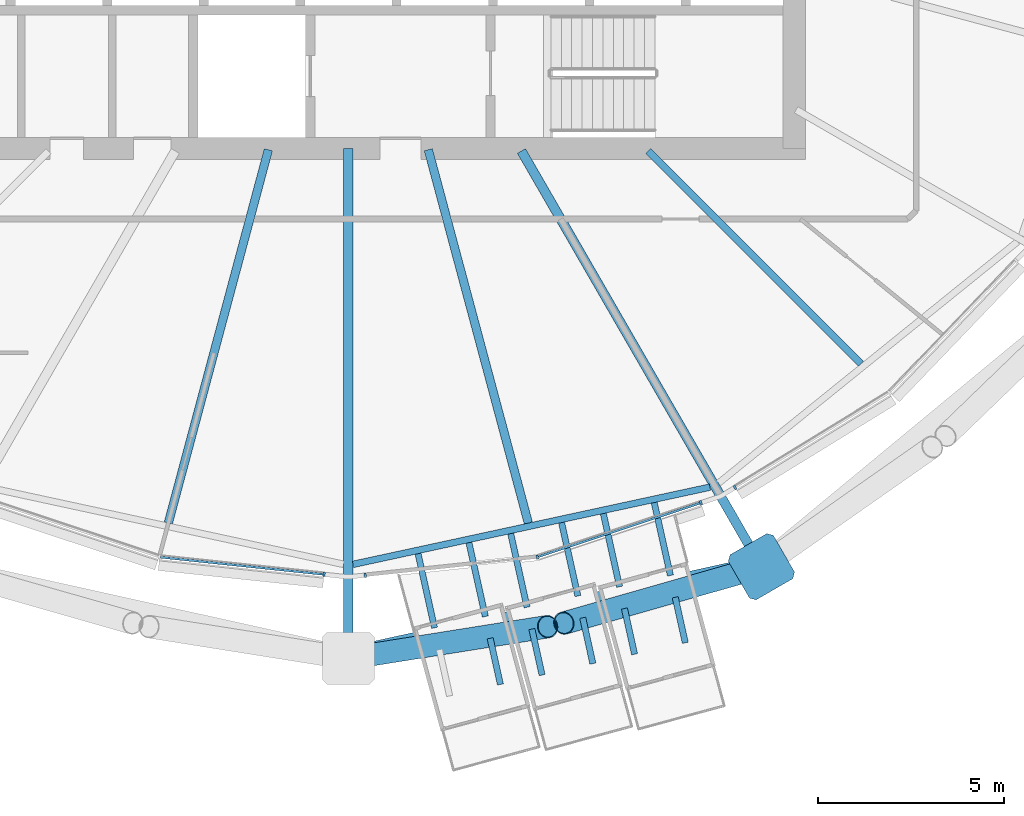
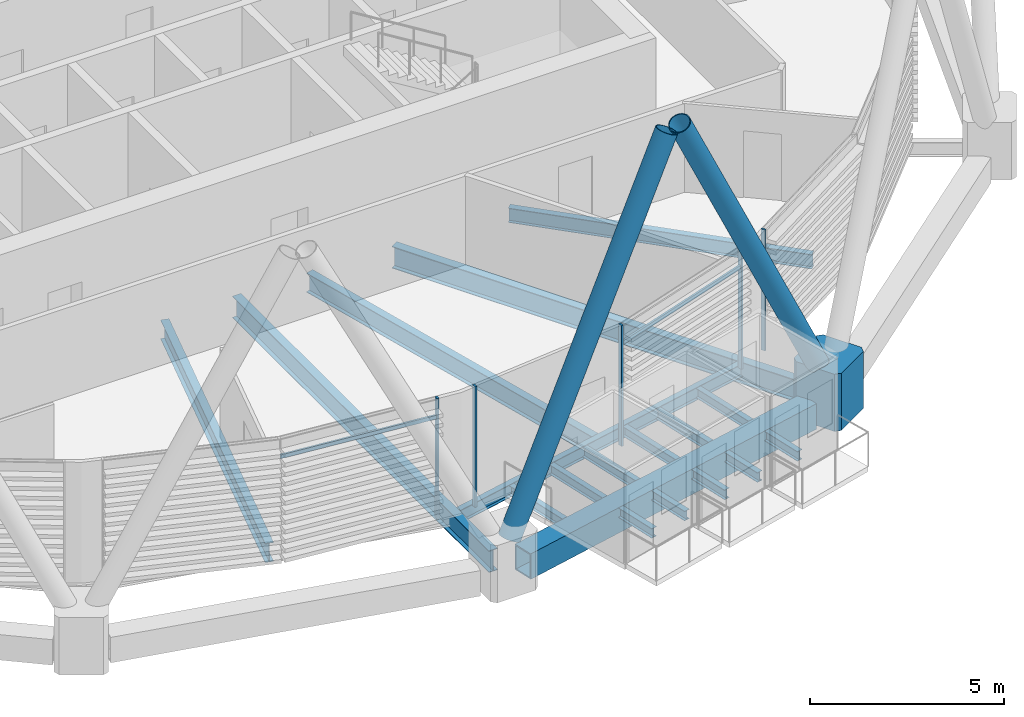
# One storey, part 4 of 35: 18 beams, 10 members, 1 element without a shape of its own.
"""IFC4 building model written with IfcOpenShell, lengths in metres."""

from ifc_helpers import new_model, si_unit, direction, frame, origin, origin_2d, place, context, subcontext, project, spatial, polyline, rectangle, hollow_rectangle, hollow_circle, i_section, outline, extrude, material, material_profile, profile_set, type_object, element, aggregate, save


model = new_model("IFC4")

# Units and contexts
model_context = context("Model", 3, precision=1e-05, world=origin(), true_north=direction((0.0, 1.0)))
body_context = subcontext(model_context, "Body", "Model", "MODEL_VIEW")
ifc_project = project(units=[si_unit("LENGTHUNIT", "METRE"), si_unit("AREAUNIT", "SQUARE_METRE"), si_unit("VOLUMEUNIT", "CUBIC_METRE"), si_unit("PLANEANGLEUNIT", "RADIAN"), si_unit("MASSUNIT", "GRAM", prefix="KILO")], contexts=[model_context])

# Site, building, storey
site_placement = place(None, origin())
site = spatial("IfcSite", under=ifc_project, at=site_placement, CompositionType="ELEMENT")
building_placement = place(site_placement, origin())
building = spatial("IfcBuilding", under=site, at=building_placement, Name="Rimbun Link Towers", CompositionType="ELEMENT")
storey_placement = place(building_placement, frame((0.0, 0.0, 181.699951171875)))
storey = spatial("IfcBuildingStorey", under=building, at=storey_placement, Name="L44", CompositionType="ELEMENT", Elevation=181.699951171875)

# Curtain wall, members
ifc_material_1 = material(Name="Aluminium 6063-T6 and low-iron glass", Category="aluminium")
curtain_wall_type = type_object("IfcCurtainWallType", Name="CW1-Z3 unitised vision wall (zone 3)", PredefinedType="NOTDEFINED", material=ifc_material_1)
curtain_wall_placement = place(storey_placement, origin())
curtain_wall = element("IfcCurtainWall", 1, at=curtain_wall_placement, inside=storey, type_object=curtain_wall_type, Name="CW1 L44 T1", PredefinedType="NOTDEFINED")
ifc_material_2 = material(Name="Aluminium 6063-T6", Category="aluminium")
ifc_material_profile_1 = material_profile(ifc_material_2, rectangle(XDim=0.1201171875, YDim=0.06005859375, at=origin_2d()), Name="MULLION 60X120")
ifc_profile_set_1 = profile_set([ifc_material_profile_1], Name="Aluminium 6063-T6")
member_type_1 = type_object("IfcMemberType", Name="CW1 mullion 60X120", PredefinedType="MULLION", material=ifc_profile_set_1)
member_1_placement = place(storey_placement, frame((-32.402587890625, -19.456787109375, 0.0), z_axis=(0.0, 0.0, 1.0), x_axis=(-0.104753162451, -0.994498252868, 0.0)))
member_1 = element("IfcMember", 2, at=member_1_placement, type_object=member_type_1, Name="CW1 mullion", PredefinedType="MULLION", context=body_context, shape_type="SweptSolid", body=[
    extrude(rectangle(XDim=0.1201171875, YDim=0.06005859375, at=origin_2d()), origin(), (0.0, 0.0, 1.0), 3.800048828125),
])
member_2_placement = place(storey_placement, frame((-26.664794921875, -18.989501953125, 0.0), z_axis=(0.0, 0.0, 1.0), x_axis=(0.210876961602, -0.977512612228, 0.0)))
member_2 = element("IfcMember", 3, at=member_2_placement, type_object=member_type_1, Name="CW1 mullion", PredefinedType="MULLION", context=body_context, shape_type="SweptSolid", body=[
    extrude(rectangle(XDim=0.1201171875, YDim=0.06005859375, at=origin_2d()), origin(), (0.0, 0.0, 1.0), 3.800048828125),
])
member_3_placement = place(storey_placement, frame((-31.296142578125, -19.477783203125, 0.0), z_axis=(0.0, 0.0, 1.0), x_axis=(0.104753162451, -0.994498252868, 0.0)))
member_3 = element("IfcMember", 4, at=member_3_placement, type_object=member_type_1, Name="CW1 mullion", PredefinedType="MULLION", context=body_context, shape_type="SweptSolid", body=[
    extrude(rectangle(XDim=0.1201171875, YDim=0.06005859375, at=origin_2d()), origin(), (0.0, 0.0, 1.0), 3.800048828125),
])
member_4_placement = place(storey_placement, frame((-22.26416015625, -17.531494140625, 0.0), z_axis=(0.0, 0.0, 1.0), x_axis=(0.314564968894, -0.949235945561, 0.0)))
member_4 = element("IfcMember", 5, at=member_4_placement, type_object=member_type_1, Name="CW1 mullion", PredefinedType="MULLION", context=body_context, shape_type="SweptSolid", body=[
    extrude(rectangle(XDim=0.1201171875, YDim=0.06005859375, at=origin_2d()), origin(), (0.0, 0.0, 1.0), 3.800048828125),
])
member_5_placement = place(storey_placement, frame((-21.345947265625, -17.1171875, 0.0), z_axis=(0.0, 0.0, 1.0), x_axis=(0.523234516531, -0.852188735381, 0.0)))
member_5 = element("IfcMember", 6, at=member_5_placement, type_object=member_type_1, Name="CW1 mullion", PredefinedType="MULLION", context=body_context, shape_type="SweptSolid", body=[
    extrude(rectangle(XDim=0.1201171875, YDim=0.06005859375, at=origin_2d()), origin(), (0.0, 0.0, 1.0), 3.800048828125),
])
ifc_material_3 = material(Name="Aluminium 6063-T6", Category="aluminium")
ifc_material_profile_2 = material_profile(ifc_material_3, rectangle(XDim=0.06005859375, YDim=0.1201171875, at=origin_2d()), Name="TRANSOM 60X120")
ifc_profile_set_2 = profile_set([ifc_material_profile_2], Name="Aluminium 6063-T6")
member_type_2 = type_object("IfcMemberType", Name="CW1 transom 60X120", PredefinedType="USERDEFINED", material=ifc_profile_set_2)
member_6_placement = place(storey_placement, frame((-32.432373046875, -19.45166015625, 3.199951171875), z_axis=(-0.994497528249, 0.104760041556, 0.0), x_axis=(-0.104760041556, -0.994497528249, 0.0)))
member_6 = element("IfcMember", 7, at=member_6_placement, type_object=member_type_2, Name="CW1 transom", ObjectType="TRANSOM", PredefinedType="USERDEFINED", context=body_context, shape_type="SweptSolid", body=[
    extrude(rectangle(XDim=0.06005859375, YDim=0.1201171875, at=origin_2d()), origin(), (0.0, 0.0, 1.0), 4.390625),
])
member_7_placement = place(storey_placement, frame((-22.293212890625, -17.5390625, 3.199951171875), z_axis=(-0.949232156623, -0.314576402218, 0.0), x_axis=(0.314576402218, -0.949232156623, 0.0)))
member_7 = element("IfcMember", 8, at=member_7_placement, type_object=member_type_2, Name="CW1 transom", ObjectType="TRANSOM", PredefinedType="USERDEFINED", context=body_context, shape_type="SweptSolid", body=[
    extrude(rectangle(XDim=0.06005859375, YDim=0.1201171875, at=origin_2d()), origin(), (0.0, 0.0, 1.0), 4.569580078125),
])
aggregate(curtain_wall, [member_1, member_2, member_3, member_4, member_5, member_6, member_7])

# Beams
ifc_material_4 = material(Name="Steel S355J2", Category="steel")
ifc_material_profile_3 = material_profile(ifc_material_4, i_section(OverallWidth=0.1650390625, OverallDepth=0.303466796875, WebThickness=0.006103515625, FlangeThickness=0.01025390625, at=origin_2d()), Name="UB 305x165x40")
ifc_profile_set_3 = profile_set([ifc_material_profile_3], Name="Steel S355J2")
beam_type_1 = type_object("IfcBeamType", Name="Capsule bracket beam UB 305x165x40", PredefinedType="BEAM", material=ifc_profile_set_3)
beam_1_placement = place(storey_placement, frame((-23.52001953125, -17.5244140625, -0.311767578125), z_axis=(0.216518756994, -0.976278458161, 0.0), x_axis=(0.976278458161, 0.216518756994, 0.0)))
element("IfcBeam", 9, at=beam_1_placement, inside=storey, type_object=beam_type_1, Name="Capsule D441.01 bracket beam 1", PredefinedType="BEAM", context=body_context, shape_type="SweptSolid", body=[
    extrude(i_section(OverallWidth=0.1650390625, OverallDepth=0.303466796875, WebThickness=0.006103515625, FlangeThickness=0.01025390625, at=origin_2d()), origin(), (0.0, 0.0, 1.0), 2.00927734375),
])
beam_2_placement = place(storey_placement, frame((-22.955078125, -20.07177734375, -0.311767578125), z_axis=(0.216559941502, -0.976269323361, 0.0), x_axis=(0.976269323361, 0.216559941502, 0.0)))
element("IfcBeam", 10, at=beam_2_placement, inside=storey, type_object=beam_type_1, Name="Capsule D441.01 bracket beam 2", PredefinedType="BEAM", context=body_context, shape_type="SweptSolid", body=[
    extrude(i_section(OverallWidth=0.1650390625, OverallDepth=0.303466796875, WebThickness=0.006103515625, FlangeThickness=0.01025390625, at=origin_2d()), origin(), (0.0, 0.0, 1.0), 1.255859375),
])
beam_3_placement = place(storey_placement, frame((-24.888427734375, -17.820556640625, -0.311767578125), z_axis=(0.216468952196, -0.976289502522, 0.0), x_axis=(0.976289502522, 0.216468952196, 0.0)))
element("IfcBeam", 11, at=beam_3_placement, inside=storey, type_object=beam_type_1, Name="Capsule D441.01 bracket beam 3", PredefinedType="BEAM", context=body_context, shape_type="SweptSolid", body=[
    extrude(i_section(OverallWidth=0.1650390625, OverallDepth=0.303466796875, WebThickness=0.006103515625, FlangeThickness=0.01025390625, at=origin_2d()), origin(), (0.0, 0.0, 1.0), 2.0166015625),
])
beam_4_placement = place(storey_placement, frame((-24.32177734375, -20.375, -0.311767578125), z_axis=(0.216376633644, -0.976309967384, 0.0), x_axis=(0.976309967384, 0.216376633644, 0.0)))
element("IfcBeam", 12, at=beam_4_placement, inside=storey, type_object=beam_type_1, Name="Capsule D441.01 bracket beam 4", PredefinedType="BEAM", context=body_context, shape_type="SweptSolid", body=[
    extrude(i_section(OverallWidth=0.1650390625, OverallDepth=0.303466796875, WebThickness=0.006103515625, FlangeThickness=0.01025390625, at=origin_2d()), origin(), (0.0, 0.0, 1.0), 1.26025390625),
])
beam_5_placement = place(storey_placement, frame((-26.012451171875, -18.063720703125, -0.311767578125), z_axis=(0.216547021217, -0.976272189301, 0.0), x_axis=(0.976272189301, 0.216547021217, 0.0)))
element("IfcBeam", 13, at=beam_5_placement, inside=storey, type_object=beam_type_1, Name="Capsule D441.02 bracket beam 1", PredefinedType="BEAM", context=body_context, shape_type="SweptSolid", body=[
    extrude(i_section(OverallWidth=0.1650390625, OverallDepth=0.303466796875, WebThickness=0.006103515625, FlangeThickness=0.01025390625, at=origin_2d()), origin(), (0.0, 0.0, 1.0), 2.022705078125),
])
beam_6_placement = place(storey_placement, frame((-25.444580078125, -20.6240234375, -0.311767578125), z_axis=(0.216501002086, -0.97628239567, 0.0), x_axis=(0.97628239567, 0.216501002086, 0.0)))
element("IfcBeam", 14, at=beam_6_placement, inside=storey, type_object=beam_type_1, Name="Capsule D441.02 bracket beam 2", PredefinedType="BEAM", context=body_context, shape_type="SweptSolid", body=[
    extrude(i_section(OverallWidth=0.1650390625, OverallDepth=0.303466796875, WebThickness=0.006103515625, FlangeThickness=0.01025390625, at=origin_2d()), origin(), (0.0, 0.0, 1.0), 1.26416015625),
])
beam_7_placement = place(storey_placement, frame((-27.380859375, -18.359619140625, -0.311767578125), z_axis=(0.216497441596, -0.97628318524, 0.0), x_axis=(0.97628318524, 0.216497441596, 0.0)))
element("IfcBeam", 15, at=beam_7_placement, inside=storey, type_object=beam_type_1, Name="Capsule D441.02 bracket beam 3", PredefinedType="BEAM", context=body_context, shape_type="SweptSolid", body=[
    extrude(i_section(OverallWidth=0.1650390625, OverallDepth=0.303466796875, WebThickness=0.006103515625, FlangeThickness=0.01025390625, at=origin_2d()), origin(), (0.0, 0.0, 1.0), 2.02978515625),
])
beam_8_placement = place(storey_placement, frame((-26.811279296875, -20.92724609375, -0.311767578125), z_axis=(0.216502526102, -0.976282057702, 0.0), x_axis=(0.976282057702, 0.216502526102, 0.0)))
element("IfcBeam", 16, at=beam_8_placement, inside=storey, type_object=beam_type_1, Name="Capsule D441.02 bracket beam 4", PredefinedType="BEAM", context=body_context, shape_type="SweptSolid", body=[
    extrude(i_section(OverallWidth=0.1650390625, OverallDepth=0.303466796875, WebThickness=0.006103515625, FlangeThickness=0.01025390625, at=origin_2d()), origin(), (0.0, 0.0, 1.0), 1.2685546875),
])
beam_9_placement = place(storey_placement, frame((-28.5048828125, -18.602783203125, -0.311767578125), z_axis=(0.216574916892, -0.97626600134, 0.0), x_axis=(0.97626600134, 0.216574916892, 0.0)))
element("IfcBeam", 17, at=beam_9_placement, inside=storey, type_object=beam_type_1, Name="Capsule D441.03 bracket beam 1", PredefinedType="BEAM", context=body_context, shape_type="SweptSolid", body=[
    extrude(i_section(OverallWidth=0.1650390625, OverallDepth=0.303466796875, WebThickness=0.006103515625, FlangeThickness=0.01025390625, at=origin_2d()), origin(), (0.0, 0.0, 1.0), 2.035888671875),
])
beam_10_placement = place(storey_placement, frame((-27.93408203125, -21.17626953125, -0.311767578125), z_axis=(0.216442824893, -0.976295295263, 0.0), x_axis=(0.976295295263, 0.216442824893, 0.0)))
element("IfcBeam", 18, at=beam_10_placement, inside=storey, type_object=beam_type_1, Name="Capsule D441.03 bracket beam 2", PredefinedType="BEAM", context=body_context, shape_type="SweptSolid", body=[
    extrude(i_section(OverallWidth=0.1650390625, OverallDepth=0.303466796875, WebThickness=0.006103515625, FlangeThickness=0.01025390625, at=origin_2d()), origin(), (0.0, 0.0, 1.0), 1.2724609375),
])
beam_11_placement = place(storey_placement, frame((-29.873291015625, -18.89892578125, -0.311767578125), z_axis=(0.216525560823, -0.976276949185, 0.0), x_axis=(0.976276949185, 0.216525560823, 0.0)))
element("IfcBeam", 19, at=beam_11_placement, inside=storey, type_object=beam_type_1, Name="Capsule D441.03 bracket beam 3", PredefinedType="BEAM", context=body_context, shape_type="SweptSolid", body=[
    extrude(i_section(OverallWidth=0.1650390625, OverallDepth=0.303466796875, WebThickness=0.006103515625, FlangeThickness=0.01025390625, at=origin_2d()), origin(), (0.0, 0.0, 1.0), 2.043212890625),
])

# Members
ifc_material_5 = material(Name="Steel S355J2H", Category="steel")
ifc_material_profile_4 = material_profile(ifc_material_5, hollow_circle(Radius=0.3046875, WallThickness=0.02490234375, at=origin_2d()), Name="Diagrid diagonal CHS 610x25")
ifc_profile_set_4 = profile_set([ifc_material_profile_4], Name="Steel S355J2H")
member_type_3 = type_object("IfcMemberType", Name="Diagrid diagonal CHS 610x25", PredefinedType="BRACE", material=ifc_profile_set_4)
member_8_placement = place(storey_placement, frame((-31.53076171875, -21.680419921875, 0.447998046875), z_axis=(0.438638699179, 0.069698239943, 0.89595660996), x_axis=(-0.156927973686, 0.987610050108, 0.0)))
element("IfcMember", 20, at=member_8_placement, inside=storey, type_object=member_type_3, Name="Diagrid diagonal T1 L44-L47 18b", PredefinedType="BRACE", context=body_context, shape_type="SweptSolid", body=[
    extrude(hollow_circle(Radius=0.3046875, WallThickness=0.02490234375, at=origin_2d()), origin(), (0.0, 0.0, 1.0), 11.723876953125),
])
member_9_placement = place(storey_placement, frame((-20.8525390625, -19.31201171875, 0.446533203125), z_axis=(-0.433306830966, -0.123609335331, 0.892729478878), x_axis=(0.274325893764, -0.961636783828, 0.0)))
element("IfcMember", 21, at=member_9_placement, inside=storey, type_object=member_type_3, Name="Diagrid diagonal T1 L44-L47 20a", PredefinedType="BRACE", context=body_context, shape_type="SweptSolid", body=[
    extrude(hollow_circle(Radius=0.3046875, WallThickness=0.02490234375, at=origin_2d()), origin(), (0.0, 0.0, 1.0), 11.76953125),
])
ifc_material_6 = material(Name="Cast steel G20Mn5+QT, Rp0.2 300 MPa", Category="steel")
ifc_material_profile_5 = material_profile(ifc_material_6, outline(polyline([(0.699951171875, -0.570068359375), (0.699951171875, 0.570068359375), (0.570068359375, 0.699951171875), (-0.570068359375, 0.699951171875), (-0.699951171875, 0.570068359375), (-0.699951171875, -0.570068359375), (-0.570068359375, -0.699951171875), (0.570068359375, -0.699951171875), (0.699951171875, -0.570068359375)])), Name="NODE 1400x1400")
ifc_profile_set_5 = profile_set([ifc_material_profile_5], Name="Cast steel G20Mn5+QT, Rp0.2 300 MPa")
member_type_4 = type_object("IfcMemberType", Name="Diagrid node cast 1400", PredefinedType="USERDEFINED", material=ifc_profile_set_5)
member_10_placement = place(storey_placement, frame((-20.635986328125, -19.250244140625, -0.89990234375), z_axis=(0.0, 0.0, 1.0), x_axis=(0.5, -0.866025403784, 0.0)))
element("IfcMember", 22, at=member_10_placement, inside=storey, type_object=member_type_4, Name="Diagrid node L44 20", ObjectType="Diagrid node", PredefinedType="USERDEFINED", context=body_context, shape_type="SweptSolid", body=[
    extrude(outline(polyline([(0.699951171875, -0.570068359375), (0.699951171875, 0.570068359375), (0.570068359375, 0.699951171875), (-0.570068359375, 0.699951171875), (-0.699951171875, 0.570068359375), (-0.699951171875, -0.570068359375), (-0.570068359375, -0.699951171875), (0.570068359375, -0.699951171875), (0.699951171875, -0.570068359375)])), origin(), (0.0, 0.0, 1.0), 1.800048828125),
])

# Beams
ifc_material_7 = material(Name="Steel S355J2", Category="steel")
ifc_material_profile_6 = material_profile(ifc_material_7, hollow_rectangle(XDim=0.60009765625, YDim=0.800048828125, WallThickness=0.0400390625, at=origin_2d()), Name="Exoskeleton ring girder BOX 600x800x40")
ifc_profile_set_6 = profile_set([ifc_material_profile_6], Name="Steel S355J2")
beam_type_2 = type_object("IfcBeamType", Name="Exoskeleton ring girder BOX 600x800x40", PredefinedType="BEAM", material=ifc_profile_set_6)
beam_12_placement = place(storey_placement, frame((-31.066650390625, -21.563720703125, -0.56005859375), z_axis=(0.976276158322, 0.216529126661, 0.0), x_axis=(-0.216529126661, 0.976276158322, 0.0)))
element("IfcBeam", 23, at=beam_12_placement, inside=storey, type_object=beam_type_2, Name="Exoskeleton ring girder L44 07", PredefinedType="BEAM", context=body_context, shape_type="SweptSolid", body=[
    extrude(hollow_rectangle(XDim=0.60009765625, YDim=0.800048828125, WallThickness=0.0400390625, at=origin_2d()), origin(), (0.0, 0.0, 1.0), 9.984130859375),
])
ifc_material_8 = material(Name="Steel S355J2", Category="steel")
ifc_material_profile_7 = material_profile(ifc_material_8, i_section(OverallWidth=0.177978515625, OverallDepth=0.406494140625, WebThickness=0.0078125, FlangeThickness=0.0126953125, at=origin_2d()), Name="UB 406x178x60")
ifc_profile_set_7 = profile_set([ifc_material_profile_7], Name="Steel S355J2")
beam_type_3 = type_object("IfcBeamType", Name="UB 406x178x60", PredefinedType="BEAM", material=ifc_profile_set_7)
beam_13_placement = place(storey_placement, frame((-31.622314453125, -19.186279296875, -0.353271484375), z_axis=(0.977389603909, 0.211446357665, 0.0), x_axis=(-0.211446357665, 0.977389603909, 0.0)))
element("IfcBeam", 24, at=beam_13_placement, inside=storey, type_object=beam_type_3, Name="Edge beam T1 L44 18-20", PredefinedType="BEAM", context=body_context, shape_type="SweptSolid", body=[
    extrude(i_section(OverallWidth=0.177978515625, OverallDepth=0.406494140625, WebThickness=0.0078125, FlangeThickness=0.0126953125, at=origin_2d()), origin(), (0.0, 0.0, 1.0), 9.82470703125),
])
ifc_material_9 = material(Name="Steel S355J2", Category="steel")
ifc_material_profile_8 = material_profile(ifc_material_9, i_section(OverallWidth=0.18994140625, OverallDepth=0.453369140625, WebThickness=0.008544921875, FlangeThickness=0.0126953125, at=origin_2d()), Name="UB 457x191x67")
ifc_profile_set_8 = profile_set([ifc_material_profile_8], Name="Steel S355J2")
beam_type_4 = type_object("IfcBeamType", Name="UB 457x191x67", PredefinedType="BEAM", material=ifc_profile_set_8)
beam_14_placement = place(storey_placement, frame((-23.68212890625, -8.06787109375, -0.376708984375), z_axis=(0.707106781187, -0.707106781187, 0.0), x_axis=(0.707106781187, 0.707106781187, 0.0)))
element("IfcBeam", 25, at=beam_14_placement, inside=storey, type_object=beam_type_4, Name="Radial beam T1 L44 21", PredefinedType="BEAM", context=body_context, shape_type="SweptSolid", body=[
    extrude(i_section(OverallWidth=0.18994140625, OverallDepth=0.453369140625, WebThickness=0.008544921875, FlangeThickness=0.0126953125, at=origin_2d()), origin(), (0.0, 0.0, 1.0), 8.094482421875),
])
ifc_material_10 = material(Name="Steel S355J2", Category="steel")
ifc_material_profile_9 = material_profile(ifc_material_10, i_section(OverallWidth=0.2275390625, OverallDepth=0.6025390625, WebThickness=0.010498046875, FlangeThickness=0.014892578125, at=origin_2d()), Name="UB 610x229x101")
ifc_profile_set_9 = profile_set([ifc_material_profile_9], Name="Steel S355J2")
beam_type_5 = type_object("IfcBeamType", Name="UB 610x229x101", PredefinedType="BEAM", material=ifc_profile_set_9)
for number, where, z_axis, x_axis, name in (
    (26, (-33.901611328125, -8.030517578125, -0.451171875), (-0.258837406585, -0.965920906158, 0.0), (0.965920906158, -0.258837406585, 0.0), "Radial beam T1 L44 17"),
    (27, (-29.598388671875, -8.030517578125, -0.451171875), (0.258837406585, -0.965920906158, 0.0), (0.965920906158, 0.258837406585, 0.0), "Radial beam T1 L44 19"),
):
    element("IfcBeam", number, at=place(storey_placement, frame(where, z_axis=z_axis, x_axis=x_axis)), inside=storey, type_object=beam_type_5, Name=name, PredefinedType="BEAM", context=body_context, shape_type="SweptSolid", body=[
        extrude(i_section(OverallWidth=0.2275390625, OverallDepth=0.6025390625, WebThickness=0.010498046875, FlangeThickness=0.014892578125, at=origin_2d()), origin(), (0.0, 0.0, 1.0), 10.39794921875),
    ])
ifc_material_11 = material(Name="Steel S355J2", Category="steel")
ifc_material_profile_10 = material_profile(ifc_material_11, i_section(OverallWidth=0.253662109375, OverallDepth=0.68359375, WebThickness=0.012451171875, FlangeThickness=0.01904296875, at=origin_2d()), Name="UB 686x254x140")
ifc_profile_set_10 = profile_set([ifc_material_profile_10], Name="Steel S355J2")
beam_type_6 = type_object("IfcBeamType", Name="UB 686x254x140", PredefinedType="BEAM", material=ifc_profile_set_10)
beam_15_placement = place(storey_placement, frame((-31.75, -8.0009765625, -0.49169921875), z_axis=(0.0, -1.0, 0.0), x_axis=(1.0, 0.0, 0.0)))
element("IfcBeam", 28, at=beam_15_placement, inside=storey, type_object=beam_type_6, Name="Radial beam T1 L44 18", PredefinedType="BEAM", context=body_context, shape_type="SweptSolid", body=[
    extrude(i_section(OverallWidth=0.253662109375, OverallDepth=0.68359375, WebThickness=0.012451171875, FlangeThickness=0.01904296875, at=origin_2d()), origin(), (0.0, 0.0, 1.0), 13.214111328125),
])
beam_16_placement = place(storey_placement, frame((-27.093994140625, -8.064208984375, -0.49169921875), z_axis=(0.499987977232, -0.866032345022, 0.0), x_axis=(0.866032345022, 0.499987977232, 0.0)))
element("IfcBeam", 29, at=beam_16_placement, inside=storey, type_object=beam_type_6, Name="Radial beam T1 L44 20", PredefinedType="BEAM", context=body_context, shape_type="SweptSolid", body=[
    extrude(i_section(OverallWidth=0.253662109375, OverallDepth=0.68359375, WebThickness=0.012451171875, FlangeThickness=0.01904296875, at=origin_2d()), origin(), (0.0, 0.0, 1.0), 12.416259765625),
])

save(model, "model.ifc")
